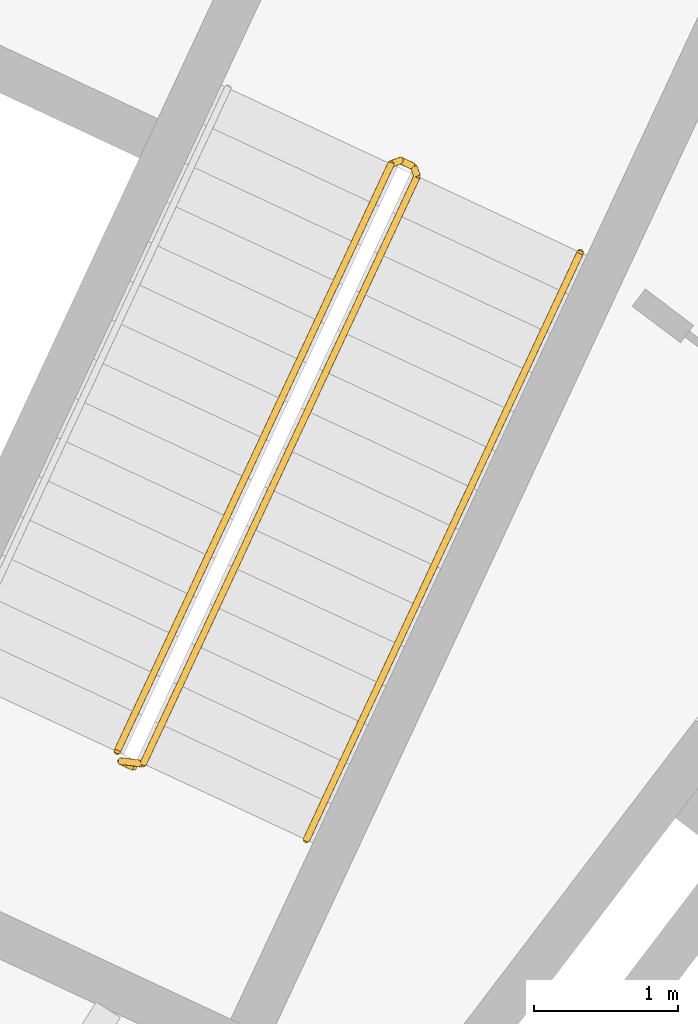
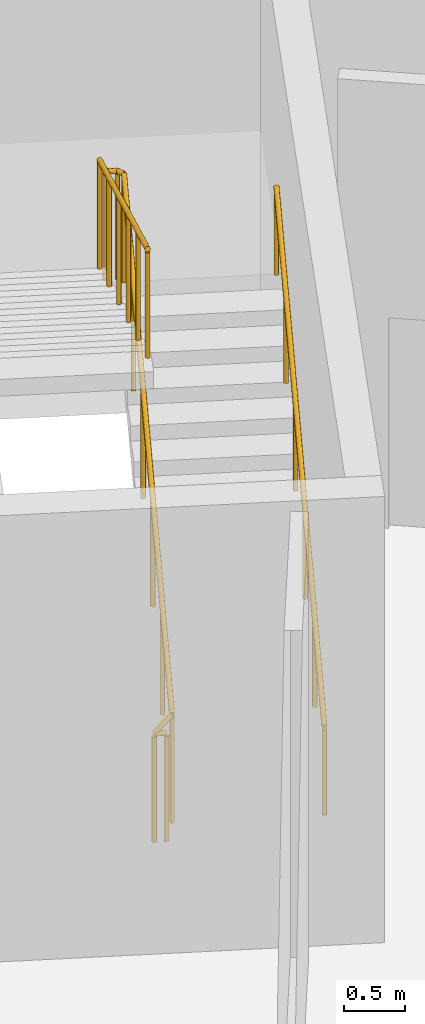
# One storey, part 20 of 20: 2 railings.
"""IFC4 building model written with IfcOpenShell, lengths in metres."""

from ifc_helpers import new_model, si_unit, direction, frame, origin, origin_2d, place, context, subcontext, project, spatial, circle, extrude, material, type_object, element, save


model = new_model("IFC4")

# Units and contexts
model_context = context("Model", 3, precision=1e-05, world=origin(), true_north=direction((0.0, 1.0)))
body_context = subcontext(model_context, "Body", "Model", "MODEL_VIEW")
ifc_project = project(units=[si_unit("LENGTHUNIT", "METRE"), si_unit("AREAUNIT", "SQUARE_METRE"), si_unit("VOLUMEUNIT", "CUBIC_METRE"), si_unit("PLANEANGLEUNIT", "RADIAN"), si_unit("MASSUNIT", "GRAM", prefix="KILO")], contexts=[model_context])

# Site, building, storey
site_placement = place(None, origin())
site = spatial("IfcSite", under=ifc_project, at=site_placement, CompositionType="ELEMENT")
building_placement = place(site_placement, origin())
building = spatial("IfcBuilding", under=site, at=building_placement, Name="Tuul Gate Civic Tower", CompositionType="ELEMENT")
storey_placement = place(building_placement, frame((0.0, 0.0, 12.300048828125)))
storey = spatial("IfcBuildingStorey", under=building, at=storey_placement, Name="Level 02", CompositionType="ELEMENT", Elevation=12.300048828125)

# Railings
ifc_material_1 = material(Name="Painted steel", Category="steel")
railing_type_1 = type_object("IfcRailingType", Name="Stair guard", PredefinedType="GUARDRAIL", material=ifc_material_1)
railing_1_placement = place(storey_placement, frame((33.645751953125, -5.238525390625, 0.0)))
element("IfcRailing", 1, at=railing_1_placement, inside=storey, type_object=railing_type_1, Name="Level 02 ST-4 stair guard 1", PredefinedType="GUARDRAIL", context=body_context, shape_type="SweptSolid", body=[
    extrude(circle(Radius=0.02392578125, at=origin_2d()), frame((0.0, 0.0, 1.076171875), z_axis=(-0.906307919131, 0.422617978463, 0.0), x_axis=(-0.422617978463, -0.906307919131, 0.0)), (0.0, 0.0, 1.0), 0.099853515625),
    extrude(circle(Radius=0.02392578125, at=origin_2d()), frame((-0.090576171875, 0.042236328125, 1.076171875), z_axis=(0.720735628292, -0.082946246491, 0.688229666829), x_axis=(0.114330889033, 0.993442724979, 0.0)), (0.0, 0.0, 1.0), 0.2177734375),
    extrude(circle(Radius=0.02392578125, at=origin_2d()), frame((0.06640625, 0.024169921875, 1.22607421875), z_axis=(0.377973126322, 0.810635649661, 0.447220481728), x_axis=(-0.906321697749, 0.42258842884, 0.0)), (0.0, 0.0, 1.0), 5.031005859375),
    extrude(circle(Radius=0.02392578125, at=origin_2d()), frame((1.968017578125, 4.1025390625, 3.47607421875), z_axis=(-0.342020437038, 0.939692513883, 0.0), x_axis=(-0.939692513883, -0.342020437038, 0.0)), (0.0, 0.0, 1.0), 0.070556640625),
    extrude(circle(Radius=0.02392578125, at=origin_2d()), frame((1.94384765625, 4.1689453125, 3.47607421875), z_axis=(-0.906307919131, 0.422617978463, 0.0), x_axis=(-0.422617978463, -0.906307919131, 0.0)), (0.0, 0.0, 1.0), 0.099853515625),
    extrude(circle(Radius=0.02392578125, at=origin_2d()), frame((1.853271484375, 4.211181640625, 3.47607421875), z_axis=(-0.401403317148, -0.145563840285, 0.90426021995), x_axis=(0.340913456846, -0.94009468403, 0.0)), (0.0, 0.0, 1.0), 0.166015625),
    extrude(circle(Radius=0.02392578125, at=origin_2d()), frame((1.78662109375, 4.18701171875, 3.6259765625), z_axis=(-0.377931531328, -0.81065051757, 0.447228684222), x_axis=(0.906342476667, -0.422543861615, 0.0)), (0.0, 0.0, 1.0), 5.031005859375),
    extrude(circle(Radius=0.02099609375, at=origin_2d()), origin(), (0.0, 0.0, 1.0), 1.052001953125),
    extrude(circle(Radius=0.02099609375, at=origin_2d()), frame((-0.090576171875, 0.042236328125, 0.0)), (0.0, 0.0, 1.0), 1.052001953125),
    extrude(circle(Radius=0.02099609375, at=origin_2d()), frame((0.06640625, 0.024169921875, 0.14990234375)), (0.0, 0.0, 1.0), 1.052001953125),
    extrude(circle(Radius=0.02099609375, at=origin_2d()), frame((0.44677734375, 0.83984375, 0.599853515625)), (0.0, 0.0, 1.0), 1.052001953125),
    extrude(circle(Radius=0.02099609375, at=origin_2d()), frame((0.8271484375, 1.655517578125, 1.0498046875)), (0.0, 0.0, 1.0), 1.052001953125),
    extrude(circle(Radius=0.02099609375, at=origin_2d()), frame((1.207275390625, 2.47119140625, 1.5)), (0.0, 0.0, 1.0), 1.052001953125),
    extrude(circle(Radius=0.02099609375, at=origin_2d()), frame((1.587646484375, 3.286865234375, 1.949951171875)), (0.0, 0.0, 1.0), 1.052001953125),
    extrude(circle(Radius=0.02099609375, at=origin_2d()), frame((1.968017578125, 4.1025390625, 2.39990234375)), (0.0, 0.0, 1.0), 1.052001953125),
    extrude(circle(Radius=0.02099609375, at=origin_2d()), frame((1.94384765625, 4.1689453125, 2.39990234375)), (0.0, 0.0, 1.0), 1.052001953125),
    extrude(circle(Radius=0.02099609375, at=origin_2d()), frame((1.853271484375, 4.211181640625, 2.39990234375)), (0.0, 0.0, 1.0), 1.052001953125),
    extrude(circle(Radius=0.02099609375, at=origin_2d()), frame((1.78662109375, 4.18701171875, 2.550048828125)), (0.0, 0.0, 1.0), 1.052001953125),
    extrude(circle(Radius=0.02099609375, at=origin_2d()), frame((1.40625, 3.371337890625, 3.0)), (0.0, 0.0, 1.0), 1.052001953125),
    extrude(circle(Radius=0.02099609375, at=origin_2d()), frame((1.026123046875, 2.5556640625, 3.449951171875)), (0.0, 0.0, 1.0), 1.052001953125),
    extrude(circle(Radius=0.02099609375, at=origin_2d()), frame((0.645751953125, 1.739990234375, 3.900146484375)), (0.0, 0.0, 1.0), 1.052001953125),
    extrude(circle(Radius=0.02099609375, at=origin_2d()), frame((0.265625, 0.92431640625, 4.35009765625)), (0.0, 0.0, 1.0), 1.052001953125),
    extrude(circle(Radius=0.02099609375, at=origin_2d()), frame((-0.11474609375, 0.108642578125, 4.800048828125)), (0.0, 0.0, 1.0), 1.052001953125),
])
ifc_material_2 = material(Name="Painted steel", Category="steel")
railing_type_2 = type_object("IfcRailingType", Name="Stair handrail", PredefinedType="HANDRAIL", material=ifc_material_2)
railing_2_placement = place(storey_placement, frame((34.844970703125, -5.74267578125, 0.14990234375)))
element("IfcRailing", 2, at=railing_2_placement, inside=storey, type_object=railing_type_2, Name="Level 02 ST-4 stair handrail 1", PredefinedType="HANDRAIL", context=body_context, shape_type="SweptSolid", body=[
    extrude(circle(Radius=0.02392578125, at=origin_2d()), frame((0.0, 0.0, 0.8759765625), z_axis=(0.377958258299, 0.810652286962, 0.447202889779), x_axis=(-0.906331385859, 0.422567650213, 0.0)), (0.0, 0.0, 1.0), 5.03125),
    extrude(circle(Radius=0.02099609375, at=origin_2d()), origin(), (0.0, 0.0, 1.0), 0.851806640625),
    extrude(circle(Radius=0.02099609375, at=origin_2d()), frame((0.38037109375, 0.815673828125, 0.449951171875)), (0.0, 0.0, 1.0), 0.851806640625),
    extrude(circle(Radius=0.02099609375, at=origin_2d()), frame((0.7607421875, 1.63134765625, 0.89990234375)), (0.0, 0.0, 1.0), 0.851806640625),
    extrude(circle(Radius=0.02099609375, at=origin_2d()), frame((1.140869140625, 2.447265625, 1.35009765625)), (0.0, 0.0, 1.0), 0.851806640625),
    extrude(circle(Radius=0.02099609375, at=origin_2d()), frame((1.521240234375, 3.262939453125, 1.800048828125)), (0.0, 0.0, 1.0), 0.851806640625),
    extrude(circle(Radius=0.02099609375, at=origin_2d()), frame((1.901611328125, 4.07861328125, 2.25)), (0.0, 0.0, 1.0), 0.851806640625),
])

save(model, "model.ifc")
